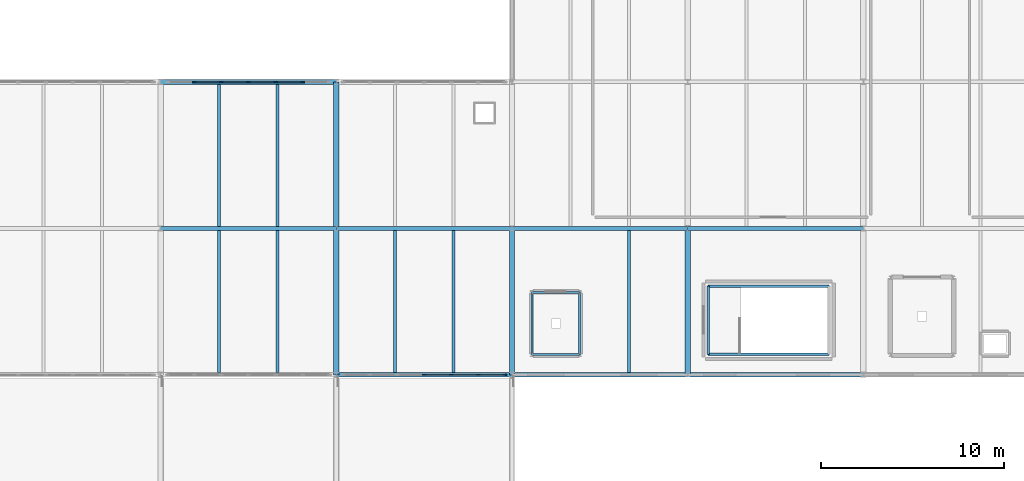
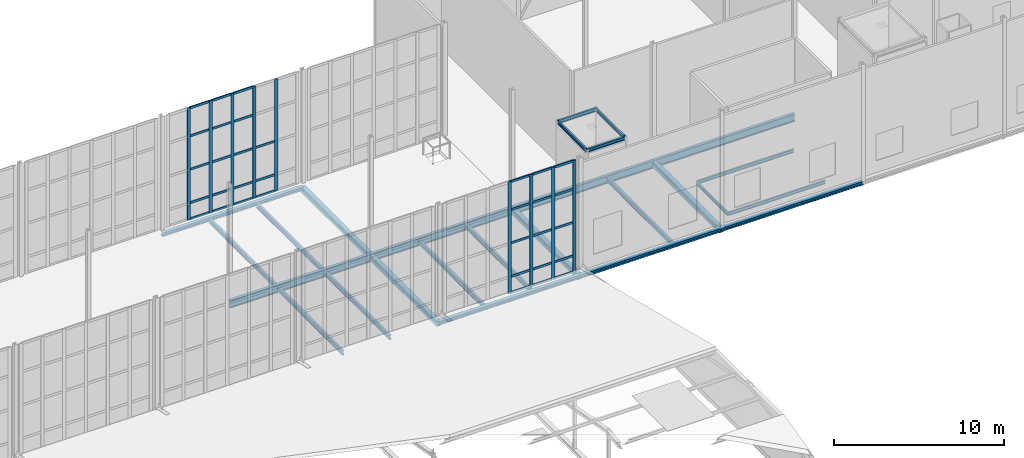
# One storey, part 40 of 73: 42 members, 26 beams, 2 elements without a shape of their own.
"""IFC4 building model written with IfcOpenShell, lengths in metres."""

from ifc_helpers import new_model, si_unit, direction, frame, origin, origin_2d, place, context, subcontext, project, spatial, rectangle, i_section, extrude, material, layer, layer_set, material_profile, profile_set, type_object, element, aggregate, save


model = new_model("IFC4")

# Units and contexts
model_context = context("Model", 3, precision=1e-05, world=origin(), true_north=direction((0.0, 1.0)))
body_context = subcontext(model_context, "Body", "Model", "MODEL_VIEW")
ifc_project = project(units=[si_unit("LENGTHUNIT", "METRE"), si_unit("AREAUNIT", "SQUARE_METRE"), si_unit("VOLUMEUNIT", "CUBIC_METRE"), si_unit("PLANEANGLEUNIT", "RADIAN"), si_unit("MASSUNIT", "GRAM", prefix="KILO")], contexts=[model_context])

# Site, building, storey
site_placement = place(None, origin())
site = spatial("IfcSite", under=ifc_project, at=site_placement, CompositionType="ELEMENT")
building_placement = place(site_placement, origin())
building = spatial("IfcBuilding", under=site, at=building_placement, Name="Alderhovde Museum", CompositionType="ELEMENT")
storey_placement = place(building_placement, frame((0.0, 0.0, 17.39990234375)))
storey = spatial("IfcBuildingStorey", under=building, at=storey_placement, Name="L04", CompositionType="ELEMENT", Elevation=17.39990234375)

# Beams
ifc_material_1 = material(Name="Steel S355J2", Category="steel")
ifc_material_profile_1 = material_profile(ifc_material_1, i_section(OverallWidth=0.300048828125, OverallDepth=0.389892578125, WebThickness=0.010986328125, FlangeThickness=0.01904296875, FilletRadius=0.027099609375, at=origin_2d()), Name="HEA 400")
ifc_profile_set_1 = profile_set([ifc_material_profile_1], Name="Steel S355J2")
beam_type_1 = type_object("IfcBeamType", Name="BM-HEA400", PredefinedType="BEAM", material=ifc_profile_set_1)
for number, where, z_axis, x_axis, name in (
    (1, (105.60009765625, 72.0, -0.474853515625), (0.0, 1.0, 0.0), (-1.0, 0.0, 0.0), "L04 Grid Beam X=105.6 (72.0 TO 80.0)"),
    (2, (105.60009765625, 80.0, -0.474853515625), (0.0, 1.0, 0.0), (-1.0, 0.0, 0.0), "L04 Grid Beam X=105.6 (80.0 TO 88.0)"),
    (3, (115.199951171875, 72.0, -0.474853515625), (0.0, 1.0, 0.0), (-1.0, 0.0, 0.0), "L04 Grid Beam X=115.2 (72.0 TO 80.0)"),
    (4, (124.800048828125, 72.0, -0.474853515625), (0.0, 1.0, 0.0), (-1.0, 0.0, 0.0), "L04 Grid Beam X=124.8 (72.0 TO 80.0)"),
):
    element("IfcBeam", number, at=place(storey_placement, frame(where, z_axis=z_axis, x_axis=x_axis)), inside=storey, type_object=beam_type_1, Name=name, PredefinedType="BEAM", context=body_context, shape_type="SweptSolid", body=[
        extrude(i_section(OverallWidth=0.300048828125, OverallDepth=0.389892578125, WebThickness=0.010986328125, FlangeThickness=0.01904296875, FilletRadius=0.027099609375, at=origin_2d()), origin(), (0.0, 0.0, 1.0), 8.0),
    ])
ifc_material_2 = material(Name="Steel S355J2", Category="steel")
ifc_material_profile_2 = material_profile(ifc_material_2, i_section(OverallWidth=0.1201171875, OverallDepth=0.239990234375, WebThickness=0.006103515625, FlangeThickness=0.009765625, FilletRadius=0.014892578125, at=origin_2d()), Name="IPE 240")
ifc_profile_set_2 = profile_set([ifc_material_profile_2], Name="Steel S355J2")
beam_type_2 = type_object("IfcBeamType", Name="BM-IPE240", PredefinedType="BEAM", material=ifc_profile_set_2)
for number, where, z_axis, x_axis, name in (
    (5, (125.919921875, 73.1201171875, -0.39990234375), (1.0, 0.0, 0.0), (0.0, 1.0, 0.0), "L04 Stair ST4 Floor Trimmer S"),
    (6, (125.919921875, 76.840087890625, -0.39990234375), (1.0, 0.0, 0.0), (0.0, 1.0, 0.0), "L04 Stair ST4 Floor Trimmer N"),
):
    element("IfcBeam", number, at=place(storey_placement, frame(where, z_axis=z_axis, x_axis=x_axis)), inside=storey, type_object=beam_type_2, Name=name, PredefinedType="BEAM", context=body_context, shape_type="SweptSolid", body=[
        extrude(i_section(OverallWidth=0.1201171875, OverallDepth=0.239990234375, WebThickness=0.006103515625, FlangeThickness=0.009765625, FilletRadius=0.014892578125, at=origin_2d()), origin(), (0.0, 0.0, 1.0), 6.60009765625),
    ])
beam_1_placement = place(storey_placement, frame((125.919921875, 73.1201171875, -0.39990234375), z_axis=(0.0, 1.0, 0.0), x_axis=(-1.0, 0.0, 0.0)))
element("IfcBeam", 7, at=beam_1_placement, inside=storey, type_object=beam_type_2, Name="L04 Stair ST4 Floor Trimmer W", PredefinedType="BEAM", context=body_context, shape_type="SweptSolid", body=[
    extrude(i_section(OverallWidth=0.1201171875, OverallDepth=0.239990234375, WebThickness=0.006103515625, FlangeThickness=0.009765625, FilletRadius=0.014892578125, at=origin_2d()), origin(), (0.0, 0.0, 1.0), 3.719970703125),
])
for number, where, z_axis, x_axis, name in (
    (8, (116.300048828125, 73.10009765625, 7.5400390625), (1.0, 0.0, 0.0), (0.0, 1.0, 0.0), "L04 Lift PL-03 Cap Beam S"),
    (9, (116.300048828125, 76.5, 7.5400390625), (1.0, 0.0, 0.0), (0.0, 1.0, 0.0), "L04 Lift PL-03 Cap Beam N"),
):
    element("IfcBeam", number, at=place(storey_placement, frame(where, z_axis=z_axis, x_axis=x_axis)), inside=storey, type_object=beam_type_2, Name=name, PredefinedType="BEAM", context=body_context, shape_type="SweptSolid", body=[
        extrude(i_section(OverallWidth=0.1201171875, OverallDepth=0.239990234375, WebThickness=0.006103515625, FlangeThickness=0.009765625, FilletRadius=0.014892578125, at=origin_2d()), origin(), (0.0, 0.0, 1.0), 2.599853515625),
    ])
for number, where, z_axis, x_axis, name in (
    (10, (116.300048828125, 73.10009765625, 7.5400390625), (0.0, 1.0, 0.0), (-1.0, 0.0, 0.0), "L04 Lift PL-03 Cap Beam W"),
    (11, (118.89990234375, 73.10009765625, 7.5400390625), (0.0, 1.0, 0.0), (-1.0, 0.0, 0.0), "L04 Lift PL-03 Cap Beam E"),
):
    element("IfcBeam", number, at=place(storey_placement, frame(where, z_axis=z_axis, x_axis=x_axis)), inside=storey, type_object=beam_type_2, Name=name, PredefinedType="BEAM", context=body_context, shape_type="SweptSolid", body=[
        extrude(i_section(OverallWidth=0.1201171875, OverallDepth=0.239990234375, WebThickness=0.006103515625, FlangeThickness=0.009765625, FilletRadius=0.014892578125, at=origin_2d()), origin(), (0.0, 0.0, 1.0), 3.39990234375),
    ])
ifc_material_3 = material(Name="Steel S355J2", Category="steel")
ifc_material_profile_3 = material_profile(ifc_material_3, i_section(OverallWidth=0.2099609375, OverallDepth=0.550048828125, WebThickness=0.010986328125, FlangeThickness=0.01708984375, FilletRadius=0.02392578125, at=origin_2d()), Name="IPE 550")
ifc_profile_set_3 = profile_set([ifc_material_profile_3], Name="Steel S355J2")
beam_type_3 = type_object("IfcBeamType", Name="BM-IPE550", PredefinedType="BEAM", material=ifc_profile_set_3)
beam_2_placement = place(storey_placement, frame((96.0, 80.0, -0.554931640625), z_axis=(1.0, 0.0, 0.0), x_axis=(0.0, 1.0, 0.0)))
element("IfcBeam", 12, at=beam_2_placement, inside=storey, type_object=beam_type_3, Name="L04 Grid Beam Y=80.0 (96.0 TO 105.6)", PredefinedType="BEAM", context=body_context, shape_type="SweptSolid", body=[
    extrude(i_section(OverallWidth=0.2099609375, OverallDepth=0.550048828125, WebThickness=0.010986328125, FlangeThickness=0.01708984375, FilletRadius=0.02392578125, at=origin_2d()), origin(), (0.0, 0.0, 1.0), 9.60009765625),
])
beam_3_placement = place(storey_placement, frame((105.60009765625, 80.0, -0.554931640625), z_axis=(1.0, 0.0, 0.0), x_axis=(0.0, 1.0, 0.0)))
element("IfcBeam", 13, at=beam_3_placement, inside=storey, type_object=beam_type_3, Name="L04 Grid Beam Y=80.0 (105.6 TO 115.2)", PredefinedType="BEAM", context=body_context, shape_type="SweptSolid", body=[
    extrude(i_section(OverallWidth=0.2099609375, OverallDepth=0.550048828125, WebThickness=0.010986328125, FlangeThickness=0.01708984375, FilletRadius=0.02392578125, at=origin_2d()), origin(), (0.0, 0.0, 1.0), 9.599853515625),
])
beam_4_placement = place(storey_placement, frame((115.199951171875, 80.0, -0.554931640625), z_axis=(1.0, 0.0, 0.0), x_axis=(0.0, 1.0, 0.0)))
element("IfcBeam", 14, at=beam_4_placement, inside=storey, type_object=beam_type_3, Name="L04 Grid Beam Y=80.0 (115.2 TO 124.8)", PredefinedType="BEAM", context=body_context, shape_type="SweptSolid", body=[
    extrude(i_section(OverallWidth=0.2099609375, OverallDepth=0.550048828125, WebThickness=0.010986328125, FlangeThickness=0.01708984375, FilletRadius=0.02392578125, at=origin_2d()), origin(), (0.0, 0.0, 1.0), 9.60009765625),
])
beam_5_placement = place(storey_placement, frame((124.800048828125, 80.0, -0.554931640625), z_axis=(1.0, 0.0, 0.0), x_axis=(0.0, 1.0, 0.0)))
element("IfcBeam", 15, at=beam_5_placement, inside=storey, type_object=beam_type_3, Name="L04 Grid Beam Y=80.0 (124.8 TO 134.4)", PredefinedType="BEAM", context=body_context, shape_type="SweptSolid", body=[
    extrude(i_section(OverallWidth=0.2099609375, OverallDepth=0.550048828125, WebThickness=0.010986328125, FlangeThickness=0.01708984375, FilletRadius=0.02392578125, at=origin_2d()), origin(), (0.0, 0.0, 1.0), 9.599853515625),
])

# Curtain wall, members
ifc_material_4 = material(Name="Triple-Glazed Bronze-Anodised Curtain Wall", Category="glass")
ifc_layer = layer(ifc_material_4, 0.219970703125)
ifc_layer_set = layer_set([ifc_layer], Name="Triple-Glazed Bronze-Anodised Curtain Wall")
curtain_wall_type = type_object("IfcCurtainWallType", Name="CW-UNIT-890x805", PredefinedType="USERDEFINED", material=ifc_layer_set)
curtain_wall_1_placement = place(storey_placement, origin())
curtain_wall_1 = element("IfcCurtainWall", 16, at=curtain_wall_1_placement, inside=storey, type_object=curtain_wall_type, Name="L04 Unitised Curtain Wall 85", ObjectType="UNITISED CURTAIN WALL", PredefinedType="USERDEFINED")
ifc_material_5 = material(Name="Bronze-Anodised Aluminium EN AW-6063-T6", Category="aluminium")
ifc_material_profile_4 = material_profile(ifc_material_5, rectangle(XDim=0.074951171875, YDim=0.219970703125, at=origin_2d()), Name="MULLION 75x220")
ifc_profile_set_4 = profile_set([ifc_material_profile_4], Name="Bronze-Anodised Aluminium EN AW-6063-T6")
member_type_1 = type_object("IfcMemberType", Name="CWM-75x220", PredefinedType="MULLION", material=ifc_profile_set_4)
member_1_placement = place(storey_placement, frame((97.833251953125, 88.0, 0.0), z_axis=(0.0, 0.0, 1.0), x_axis=(0.0, 1.0, 0.0)))
member_1 = element("IfcMember", 17, at=member_1_placement, type_object=member_type_1, Name="CW21 mullion 2", PredefinedType="MULLION", context=body_context, shape_type="SweptSolid", body=[
    extrude(rectangle(XDim=0.074951171875, YDim=0.219970703125, at=origin_2d()), origin(), (0.0, 0.0, 1.0), 8.050048828125),
])
member_2_placement = place(storey_placement, frame((99.316650390625, 88.0, 0.0), z_axis=(0.0, 0.0, 1.0), x_axis=(0.0, 1.0, 0.0)))
member_2 = element("IfcMember", 18, at=member_2_placement, type_object=member_type_1, Name="CW21 mullion 3", PredefinedType="MULLION", context=body_context, shape_type="SweptSolid", body=[
    extrude(rectangle(XDim=0.074951171875, YDim=0.219970703125, at=origin_2d()), origin(), (0.0, 0.0, 1.0), 8.050048828125),
])
member_3_placement = place(storey_placement, frame((100.800048828125, 88.0, 0.0), z_axis=(0.0, 0.0, 1.0), x_axis=(0.0, 1.0, 0.0)))
member_3 = element("IfcMember", 19, at=member_3_placement, type_object=member_type_1, Name="CW21 mullion 4", PredefinedType="MULLION", context=body_context, shape_type="SweptSolid", body=[
    extrude(rectangle(XDim=0.074951171875, YDim=0.219970703125, at=origin_2d()), origin(), (0.0, 0.0, 1.0), 8.050048828125),
])
member_4_placement = place(storey_placement, frame((102.283447265625, 88.0, 0.0), z_axis=(0.0, 0.0, 1.0), x_axis=(0.0, 1.0, 0.0)))
member_4 = element("IfcMember", 20, at=member_4_placement, type_object=member_type_1, Name="CW21 mullion 5", PredefinedType="MULLION", context=body_context, shape_type="SweptSolid", body=[
    extrude(rectangle(XDim=0.074951171875, YDim=0.219970703125, at=origin_2d()), origin(), (0.0, 0.0, 1.0), 8.050048828125),
])
member_5_placement = place(storey_placement, frame((103.7666015625, 88.0, 0.0), z_axis=(0.0, 0.0, 1.0), x_axis=(0.0, 1.0, 0.0)))
member_5 = element("IfcMember", 21, at=member_5_placement, type_object=member_type_1, Name="CW21 mullion 6", PredefinedType="MULLION", context=body_context, shape_type="SweptSolid", body=[
    extrude(rectangle(XDim=0.074951171875, YDim=0.219970703125, at=origin_2d()), origin(), (0.0, 0.0, 1.0), 8.050048828125),
])

curtain_wall_2_placement = place(storey_placement, origin())
curtain_wall_2 = element("IfcCurtainWall", 22, at=curtain_wall_2_placement, inside=storey, type_object=curtain_wall_type, Name="L04 Unitised Curtain Wall 88", ObjectType="UNITISED CURTAIN WALL", PredefinedType="USERDEFINED")
member_6_placement = place(storey_placement, frame((110.39990234375, 72.0, 0.0), z_axis=(0.0, 0.0, 1.0), x_axis=(0.0, 1.0, 0.0)))
member_6 = element("IfcMember", 23, at=member_6_placement, type_object=member_type_1, Name="CW21 mullion 4", PredefinedType="MULLION", context=body_context, shape_type="SweptSolid", body=[
    extrude(rectangle(XDim=0.074951171875, YDim=0.219970703125, at=origin_2d()), origin(), (0.0, 0.0, 1.0), 8.050048828125),
])
member_7_placement = place(storey_placement, frame((111.88330078125, 72.0, 0.0), z_axis=(0.0, 0.0, 1.0), x_axis=(0.0, 1.0, 0.0)))
member_7 = element("IfcMember", 24, at=member_7_placement, type_object=member_type_1, Name="CW21 mullion 5", PredefinedType="MULLION", context=body_context, shape_type="SweptSolid", body=[
    extrude(rectangle(XDim=0.074951171875, YDim=0.219970703125, at=origin_2d()), origin(), (0.0, 0.0, 1.0), 8.050048828125),
])
member_8_placement = place(storey_placement, frame((113.36669921875, 72.0, 0.0), z_axis=(0.0, 0.0, 1.0), x_axis=(0.0, 1.0, 0.0)))
member_8 = element("IfcMember", 25, at=member_8_placement, type_object=member_type_1, Name="CW21 mullion 6", PredefinedType="MULLION", context=body_context, shape_type="SweptSolid", body=[
    extrude(rectangle(XDim=0.074951171875, YDim=0.219970703125, at=origin_2d()), origin(), (0.0, 0.0, 1.0), 8.050048828125),
])
member_9_placement = place(storey_placement, frame((114.8125, 72.0, 0.0), z_axis=(0.0, 0.0, 1.0), x_axis=(0.0, 1.0, 0.0)))
member_9 = element("IfcMember", 26, at=member_9_placement, type_object=member_type_1, Name="CW21 mullion 7", PredefinedType="MULLION", context=body_context, shape_type="SweptSolid", body=[
    extrude(rectangle(XDim=0.074951171875, YDim=0.219970703125, at=origin_2d()), origin(), (0.0, 0.0, 1.0), 8.050048828125),
])

# Member
ifc_material_6 = material(Name="Bronze-Anodised Aluminium EN AW-6063-T6", Category="aluminium")
ifc_material_profile_5 = material_profile(ifc_material_6, rectangle(XDim=0.074951171875, YDim=0.159912109375, at=origin_2d()), Name="TRANSOM 75x160")
ifc_profile_set_5 = profile_set([ifc_material_profile_5], Name="Bronze-Anodised Aluminium EN AW-6063-T6")
member_type_2 = type_object("IfcMemberType", Name="CWT-75x160", PredefinedType="USERDEFINED", material=ifc_profile_set_5)
member_10_placement = place(storey_placement, frame((97.870849609375, 88.0, 0.03759765625), z_axis=(1.0, 0.0, 0.0), x_axis=(0.0, 1.0, 0.0)))
member_10 = element("IfcMember", 27, at=member_10_placement, type_object=member_type_2, Name="CW21 transom 2.1", ObjectType="TRANSOM", PredefinedType="USERDEFINED", context=body_context, shape_type="SweptSolid", body=[
    extrude(rectangle(XDim=0.074951171875, YDim=0.159912109375, at=origin_2d()), origin(), (0.0, 0.0, 1.0), 1.408203125),
])

member_11_placement = place(storey_placement, frame((97.870849609375, 88.0, 1.2001953125), z_axis=(1.0, 0.0, 0.0), x_axis=(0.0, 1.0, 0.0)))
member_11 = element("IfcMember", 28, at=member_11_placement, type_object=member_type_2, Name="CW21 transom 2.2", ObjectType="TRANSOM", PredefinedType="USERDEFINED", context=body_context, shape_type="SweptSolid", body=[
    extrude(rectangle(XDim=0.074951171875, YDim=0.159912109375, at=origin_2d()), origin(), (0.0, 0.0, 1.0), 1.408203125),
])

member_12_placement = place(storey_placement, frame((97.870849609375, 88.0, 3.60009765625), z_axis=(1.0, 0.0, 0.0), x_axis=(0.0, 1.0, 0.0)))
member_12 = element("IfcMember", 29, at=member_12_placement, type_object=member_type_2, Name="CW21 transom 2.3", ObjectType="TRANSOM", PredefinedType="USERDEFINED", context=body_context, shape_type="SweptSolid", body=[
    extrude(rectangle(XDim=0.074951171875, YDim=0.159912109375, at=origin_2d()), origin(), (0.0, 0.0, 1.0), 1.408203125),
])

member_13_placement = place(storey_placement, frame((97.870849609375, 88.0, 6.0), z_axis=(1.0, 0.0, 0.0), x_axis=(0.0, 1.0, 0.0)))
member_13 = element("IfcMember", 30, at=member_13_placement, type_object=member_type_2, Name="CW21 transom 2.4", ObjectType="TRANSOM", PredefinedType="USERDEFINED", context=body_context, shape_type="SweptSolid", body=[
    extrude(rectangle(XDim=0.074951171875, YDim=0.159912109375, at=origin_2d()), origin(), (0.0, 0.0, 1.0), 1.408203125),
])

member_14_placement = place(storey_placement, frame((97.870849609375, 88.0, 8.0126953125), z_axis=(1.0, 0.0, 0.0), x_axis=(0.0, 1.0, 0.0)))
member_14 = element("IfcMember", 31, at=member_14_placement, type_object=member_type_2, Name="CW21 transom 2.5", ObjectType="TRANSOM", PredefinedType="USERDEFINED", context=body_context, shape_type="SweptSolid", body=[
    extrude(rectangle(XDim=0.074951171875, YDim=0.159912109375, at=origin_2d()), origin(), (0.0, 0.0, 1.0), 1.408203125),
])

member_15_placement = place(storey_placement, frame((99.354248046875, 88.0, 0.03759765625), z_axis=(1.0, 0.0, 0.0), x_axis=(0.0, 1.0, 0.0)))
member_15 = element("IfcMember", 32, at=member_15_placement, type_object=member_type_2, Name="CW21 transom 3.1", ObjectType="TRANSOM", PredefinedType="USERDEFINED", context=body_context, shape_type="SweptSolid", body=[
    extrude(rectangle(XDim=0.074951171875, YDim=0.159912109375, at=origin_2d()), origin(), (0.0, 0.0, 1.0), 1.408203125),
])

member_16_placement = place(storey_placement, frame((99.354248046875, 88.0, 1.2001953125), z_axis=(1.0, 0.0, 0.0), x_axis=(0.0, 1.0, 0.0)))
member_16 = element("IfcMember", 33, at=member_16_placement, type_object=member_type_2, Name="CW21 transom 3.2", ObjectType="TRANSOM", PredefinedType="USERDEFINED", context=body_context, shape_type="SweptSolid", body=[
    extrude(rectangle(XDim=0.074951171875, YDim=0.159912109375, at=origin_2d()), origin(), (0.0, 0.0, 1.0), 1.408203125),
])

member_17_placement = place(storey_placement, frame((99.354248046875, 88.0, 3.60009765625), z_axis=(1.0, 0.0, 0.0), x_axis=(0.0, 1.0, 0.0)))
member_17 = element("IfcMember", 34, at=member_17_placement, type_object=member_type_2, Name="CW21 transom 3.3", ObjectType="TRANSOM", PredefinedType="USERDEFINED", context=body_context, shape_type="SweptSolid", body=[
    extrude(rectangle(XDim=0.074951171875, YDim=0.159912109375, at=origin_2d()), origin(), (0.0, 0.0, 1.0), 1.408203125),
])

member_18_placement = place(storey_placement, frame((99.354248046875, 88.0, 6.0), z_axis=(1.0, 0.0, 0.0), x_axis=(0.0, 1.0, 0.0)))
member_18 = element("IfcMember", 35, at=member_18_placement, type_object=member_type_2, Name="CW21 transom 3.4", ObjectType="TRANSOM", PredefinedType="USERDEFINED", context=body_context, shape_type="SweptSolid", body=[
    extrude(rectangle(XDim=0.074951171875, YDim=0.159912109375, at=origin_2d()), origin(), (0.0, 0.0, 1.0), 1.408203125),
])

member_19_placement = place(storey_placement, frame((99.354248046875, 88.0, 8.0126953125), z_axis=(1.0, 0.0, 0.0), x_axis=(0.0, 1.0, 0.0)))
member_19 = element("IfcMember", 36, at=member_19_placement, type_object=member_type_2, Name="CW21 transom 3.5", ObjectType="TRANSOM", PredefinedType="USERDEFINED", context=body_context, shape_type="SweptSolid", body=[
    extrude(rectangle(XDim=0.074951171875, YDim=0.159912109375, at=origin_2d()), origin(), (0.0, 0.0, 1.0), 1.408203125),
])

member_20_placement = place(storey_placement, frame((100.83740234375, 88.0, 0.03759765625), z_axis=(1.0, 0.0, 0.0), x_axis=(0.0, 1.0, 0.0)))
member_20 = element("IfcMember", 37, at=member_20_placement, type_object=member_type_2, Name="CW21 transom 4.1", ObjectType="TRANSOM", PredefinedType="USERDEFINED", context=body_context, shape_type="SweptSolid", body=[
    extrude(rectangle(XDim=0.074951171875, YDim=0.159912109375, at=origin_2d()), origin(), (0.0, 0.0, 1.0), 1.408447265625),
])

member_21_placement = place(storey_placement, frame((100.83740234375, 88.0, 1.2001953125), z_axis=(1.0, 0.0, 0.0), x_axis=(0.0, 1.0, 0.0)))
member_21 = element("IfcMember", 38, at=member_21_placement, type_object=member_type_2, Name="CW21 transom 4.2", ObjectType="TRANSOM", PredefinedType="USERDEFINED", context=body_context, shape_type="SweptSolid", body=[
    extrude(rectangle(XDim=0.074951171875, YDim=0.159912109375, at=origin_2d()), origin(), (0.0, 0.0, 1.0), 1.408447265625),
])

member_22_placement = place(storey_placement, frame((100.83740234375, 88.0, 3.60009765625), z_axis=(1.0, 0.0, 0.0), x_axis=(0.0, 1.0, 0.0)))
member_22 = element("IfcMember", 39, at=member_22_placement, type_object=member_type_2, Name="CW21 transom 4.3", ObjectType="TRANSOM", PredefinedType="USERDEFINED", context=body_context, shape_type="SweptSolid", body=[
    extrude(rectangle(XDim=0.074951171875, YDim=0.159912109375, at=origin_2d()), origin(), (0.0, 0.0, 1.0), 1.408447265625),
])

member_23_placement = place(storey_placement, frame((100.83740234375, 88.0, 6.0), z_axis=(1.0, 0.0, 0.0), x_axis=(0.0, 1.0, 0.0)))
member_23 = element("IfcMember", 40, at=member_23_placement, type_object=member_type_2, Name="CW21 transom 4.4", ObjectType="TRANSOM", PredefinedType="USERDEFINED", context=body_context, shape_type="SweptSolid", body=[
    extrude(rectangle(XDim=0.074951171875, YDim=0.159912109375, at=origin_2d()), origin(), (0.0, 0.0, 1.0), 1.408447265625),
])

member_24_placement = place(storey_placement, frame((100.83740234375, 88.0, 8.0126953125), z_axis=(1.0, 0.0, 0.0), x_axis=(0.0, 1.0, 0.0)))
member_24 = element("IfcMember", 41, at=member_24_placement, type_object=member_type_2, Name="CW21 transom 4.5", ObjectType="TRANSOM", PredefinedType="USERDEFINED", context=body_context, shape_type="SweptSolid", body=[
    extrude(rectangle(XDim=0.074951171875, YDim=0.159912109375, at=origin_2d()), origin(), (0.0, 0.0, 1.0), 1.408447265625),
])

member_25_placement = place(storey_placement, frame((102.32080078125, 88.0, 0.03759765625), z_axis=(1.0, 0.0, 0.0), x_axis=(0.0, 1.0, 0.0)))
member_25 = element("IfcMember", 42, at=member_25_placement, type_object=member_type_2, Name="CW21 transom 5.1", ObjectType="TRANSOM", PredefinedType="USERDEFINED", context=body_context, shape_type="SweptSolid", body=[
    extrude(rectangle(XDim=0.074951171875, YDim=0.159912109375, at=origin_2d()), origin(), (0.0, 0.0, 1.0), 1.408447265625),
])

member_26_placement = place(storey_placement, frame((102.32080078125, 88.0, 1.2001953125), z_axis=(1.0, 0.0, 0.0), x_axis=(0.0, 1.0, 0.0)))
member_26 = element("IfcMember", 43, at=member_26_placement, type_object=member_type_2, Name="CW21 transom 5.2", ObjectType="TRANSOM", PredefinedType="USERDEFINED", context=body_context, shape_type="SweptSolid", body=[
    extrude(rectangle(XDim=0.074951171875, YDim=0.159912109375, at=origin_2d()), origin(), (0.0, 0.0, 1.0), 1.408447265625),
])

member_27_placement = place(storey_placement, frame((102.32080078125, 88.0, 3.60009765625), z_axis=(1.0, 0.0, 0.0), x_axis=(0.0, 1.0, 0.0)))
member_27 = element("IfcMember", 44, at=member_27_placement, type_object=member_type_2, Name="CW21 transom 5.3", ObjectType="TRANSOM", PredefinedType="USERDEFINED", context=body_context, shape_type="SweptSolid", body=[
    extrude(rectangle(XDim=0.074951171875, YDim=0.159912109375, at=origin_2d()), origin(), (0.0, 0.0, 1.0), 1.408447265625),
])

aggregate(curtain_wall_1, [member_1, member_2, member_3, member_4, member_5, member_10, member_11, member_12, member_13, member_14, member_15, member_16, member_17, member_18, member_19, member_20, member_21, member_22, member_23, member_24, member_25, member_26, member_27])

member_28_placement = place(storey_placement, frame((110.4375, 72.0, 0.03759765625), z_axis=(1.0, 0.0, 0.0), x_axis=(0.0, 1.0, 0.0)))
member_28 = element("IfcMember", 45, at=member_28_placement, type_object=member_type_2, Name="CW21 transom 4.1", ObjectType="TRANSOM", PredefinedType="USERDEFINED", context=body_context, shape_type="SweptSolid", body=[
    extrude(rectangle(XDim=0.074951171875, YDim=0.159912109375, at=origin_2d()), origin(), (0.0, 0.0, 1.0), 1.408447265625),
])

member_29_placement = place(storey_placement, frame((110.4375, 72.0, 1.2001953125), z_axis=(1.0, 0.0, 0.0), x_axis=(0.0, 1.0, 0.0)))
member_29 = element("IfcMember", 46, at=member_29_placement, type_object=member_type_2, Name="CW21 transom 4.2", ObjectType="TRANSOM", PredefinedType="USERDEFINED", context=body_context, shape_type="SweptSolid", body=[
    extrude(rectangle(XDim=0.074951171875, YDim=0.159912109375, at=origin_2d()), origin(), (0.0, 0.0, 1.0), 1.408447265625),
])

member_30_placement = place(storey_placement, frame((110.4375, 72.0, 3.60009765625), z_axis=(1.0, 0.0, 0.0), x_axis=(0.0, 1.0, 0.0)))
member_30 = element("IfcMember", 47, at=member_30_placement, type_object=member_type_2, Name="CW21 transom 4.3", ObjectType="TRANSOM", PredefinedType="USERDEFINED", context=body_context, shape_type="SweptSolid", body=[
    extrude(rectangle(XDim=0.074951171875, YDim=0.159912109375, at=origin_2d()), origin(), (0.0, 0.0, 1.0), 1.408447265625),
])

member_31_placement = place(storey_placement, frame((110.4375, 72.0, 6.0), z_axis=(1.0, 0.0, 0.0), x_axis=(0.0, 1.0, 0.0)))
member_31 = element("IfcMember", 48, at=member_31_placement, type_object=member_type_2, Name="CW21 transom 4.4", ObjectType="TRANSOM", PredefinedType="USERDEFINED", context=body_context, shape_type="SweptSolid", body=[
    extrude(rectangle(XDim=0.074951171875, YDim=0.159912109375, at=origin_2d()), origin(), (0.0, 0.0, 1.0), 1.408447265625),
])

member_32_placement = place(storey_placement, frame((110.4375, 72.0, 8.0126953125), z_axis=(1.0, 0.0, 0.0), x_axis=(0.0, 1.0, 0.0)))
member_32 = element("IfcMember", 49, at=member_32_placement, type_object=member_type_2, Name="CW21 transom 4.5", ObjectType="TRANSOM", PredefinedType="USERDEFINED", context=body_context, shape_type="SweptSolid", body=[
    extrude(rectangle(XDim=0.074951171875, YDim=0.159912109375, at=origin_2d()), origin(), (0.0, 0.0, 1.0), 1.408447265625),
])

member_33_placement = place(storey_placement, frame((111.9208984375, 72.0, 0.03759765625), z_axis=(1.0, 0.0, 0.0), x_axis=(0.0, 1.0, 0.0)))
member_33 = element("IfcMember", 50, at=member_33_placement, type_object=member_type_2, Name="CW21 transom 5.1", ObjectType="TRANSOM", PredefinedType="USERDEFINED", context=body_context, shape_type="SweptSolid", body=[
    extrude(rectangle(XDim=0.074951171875, YDim=0.159912109375, at=origin_2d()), origin(), (0.0, 0.0, 1.0), 1.408203125),
])

member_34_placement = place(storey_placement, frame((111.9208984375, 72.0, 1.2001953125), z_axis=(1.0, 0.0, 0.0), x_axis=(0.0, 1.0, 0.0)))
member_34 = element("IfcMember", 51, at=member_34_placement, type_object=member_type_2, Name="CW21 transom 5.2", ObjectType="TRANSOM", PredefinedType="USERDEFINED", context=body_context, shape_type="SweptSolid", body=[
    extrude(rectangle(XDim=0.074951171875, YDim=0.159912109375, at=origin_2d()), origin(), (0.0, 0.0, 1.0), 1.408203125),
])

member_35_placement = place(storey_placement, frame((111.9208984375, 72.0, 3.60009765625), z_axis=(1.0, 0.0, 0.0), x_axis=(0.0, 1.0, 0.0)))
member_35 = element("IfcMember", 52, at=member_35_placement, type_object=member_type_2, Name="CW21 transom 5.3", ObjectType="TRANSOM", PredefinedType="USERDEFINED", context=body_context, shape_type="SweptSolid", body=[
    extrude(rectangle(XDim=0.074951171875, YDim=0.159912109375, at=origin_2d()), origin(), (0.0, 0.0, 1.0), 1.408203125),
])

member_36_placement = place(storey_placement, frame((111.9208984375, 72.0, 6.0), z_axis=(1.0, 0.0, 0.0), x_axis=(0.0, 1.0, 0.0)))
member_36 = element("IfcMember", 53, at=member_36_placement, type_object=member_type_2, Name="CW21 transom 5.4", ObjectType="TRANSOM", PredefinedType="USERDEFINED", context=body_context, shape_type="SweptSolid", body=[
    extrude(rectangle(XDim=0.074951171875, YDim=0.159912109375, at=origin_2d()), origin(), (0.0, 0.0, 1.0), 1.408203125),
])

member_37_placement = place(storey_placement, frame((111.9208984375, 72.0, 8.0126953125), z_axis=(1.0, 0.0, 0.0), x_axis=(0.0, 1.0, 0.0)))
member_37 = element("IfcMember", 54, at=member_37_placement, type_object=member_type_2, Name="CW21 transom 5.5", ObjectType="TRANSOM", PredefinedType="USERDEFINED", context=body_context, shape_type="SweptSolid", body=[
    extrude(rectangle(XDim=0.074951171875, YDim=0.159912109375, at=origin_2d()), origin(), (0.0, 0.0, 1.0), 1.408203125),
])

member_38_placement = place(storey_placement, frame((113.404052734375, 72.0, 0.03759765625), z_axis=(1.0, 0.0, 0.0), x_axis=(0.0, 1.0, 0.0)))
member_38 = element("IfcMember", 55, at=member_38_placement, type_object=member_type_2, Name="CW21 transom 6.1", ObjectType="TRANSOM", PredefinedType="USERDEFINED", context=body_context, shape_type="SweptSolid", body=[
    extrude(rectangle(XDim=0.074951171875, YDim=0.159912109375, at=origin_2d()), origin(), (0.0, 0.0, 1.0), 1.370849609375),
])

member_39_placement = place(storey_placement, frame((113.404052734375, 72.0, 1.2001953125), z_axis=(1.0, 0.0, 0.0), x_axis=(0.0, 1.0, 0.0)))
member_39 = element("IfcMember", 56, at=member_39_placement, type_object=member_type_2, Name="CW21 transom 6.2", ObjectType="TRANSOM", PredefinedType="USERDEFINED", context=body_context, shape_type="SweptSolid", body=[
    extrude(rectangle(XDim=0.074951171875, YDim=0.159912109375, at=origin_2d()), origin(), (0.0, 0.0, 1.0), 1.370849609375),
])

member_40_placement = place(storey_placement, frame((113.404052734375, 72.0, 3.60009765625), z_axis=(1.0, 0.0, 0.0), x_axis=(0.0, 1.0, 0.0)))
member_40 = element("IfcMember", 57, at=member_40_placement, type_object=member_type_2, Name="CW21 transom 6.3", ObjectType="TRANSOM", PredefinedType="USERDEFINED", context=body_context, shape_type="SweptSolid", body=[
    extrude(rectangle(XDim=0.074951171875, YDim=0.159912109375, at=origin_2d()), origin(), (0.0, 0.0, 1.0), 1.370849609375),
])

member_41_placement = place(storey_placement, frame((113.404052734375, 72.0, 6.0), z_axis=(1.0, 0.0, 0.0), x_axis=(0.0, 1.0, 0.0)))
member_41 = element("IfcMember", 58, at=member_41_placement, type_object=member_type_2, Name="CW21 transom 6.4", ObjectType="TRANSOM", PredefinedType="USERDEFINED", context=body_context, shape_type="SweptSolid", body=[
    extrude(rectangle(XDim=0.074951171875, YDim=0.159912109375, at=origin_2d()), origin(), (0.0, 0.0, 1.0), 1.370849609375),
])

member_42_placement = place(storey_placement, frame((113.404052734375, 72.0, 8.0126953125), z_axis=(1.0, 0.0, 0.0), x_axis=(0.0, 1.0, 0.0)))
member_42 = element("IfcMember", 59, at=member_42_placement, type_object=member_type_2, Name="CW21 transom 6.5", ObjectType="TRANSOM", PredefinedType="USERDEFINED", context=body_context, shape_type="SweptSolid", body=[
    extrude(rectangle(XDim=0.074951171875, YDim=0.159912109375, at=origin_2d()), origin(), (0.0, 0.0, 1.0), 1.370849609375),
])

aggregate(curtain_wall_2, [member_6, member_7, member_8, member_9, member_28, member_29, member_30, member_31, member_32, member_33, member_34, member_35, member_36, member_37, member_38, member_39, member_40, member_41, member_42])

# Beams
ifc_material_7 = material(Name="Steel S355J2", Category="steel")
ifc_material_profile_6 = material_profile(ifc_material_7, i_section(OverallWidth=0.159912109375, OverallDepth=0.330078125, WebThickness=0.007568359375, FlangeThickness=0.011474609375, FilletRadius=0.01806640625, at=origin_2d()), Name="IPE 330")
ifc_profile_set_6 = profile_set([ifc_material_profile_6], Name="Steel S355J2")
beam_type_4 = type_object("IfcBeamType", Name="JST-IPE330", PredefinedType="JOIST", material=ifc_profile_set_6)
for number, where, z_axis, x_axis, name in (
    (60, (99.199951171875, 72.1298828125, -0.44482421875), (0.0, 1.0, 0.0), (-1.0, 0.0, 0.0), "L04 Composite Joist X=99.2 (72.0 TO 80.0)"),
    (61, (102.39990234375, 72.1298828125, -0.44482421875), (0.0, 1.0, 0.0), (-1.0, 0.0, 0.0), "L04 Composite Joist X=102.4 (72.0 TO 80.0)"),
    (62, (99.199951171875, 80.10498046875, -0.44482421875), (0.0, 1.0, 0.0), (-1.0, 0.0, 0.0), "L04 Composite Joist X=99.2 (80.0 TO 88.0)"),
    (63, (102.39990234375, 80.10498046875, -0.44482421875), (0.0, 1.0, 0.0), (-1.0, 0.0, 0.0), "L04 Composite Joist X=102.4 (80.0 TO 88.0)"),
    (64, (108.800048828125, 72.1298828125, -0.44482421875), (0.0, 1.0, 0.0), (-1.0, 0.0, 0.0), "L04 Composite Joist X=108.8 (72.0 TO 80.0)"),
    (65, (112.0, 72.1298828125, -0.44482421875), (0.0, 1.0, 0.0), (-1.0, 0.0, 0.0), "L04 Composite Joist X=112.0 (72.0 TO 80.0)"),
    (66, (121.60009765625, 72.1298828125, -0.44482421875), (0.0, 1.0, 0.0), (-1.0, 0.0, 0.0), "L04 Composite Joist X=121.6 (72.0 TO 80.0)"),
):
    element("IfcBeam", number, at=place(storey_placement, frame(where, z_axis=z_axis, x_axis=x_axis)), inside=storey, type_object=beam_type_4, Name=name, PredefinedType="JOIST", context=body_context, shape_type="SweptSolid", body=[
        extrude(i_section(OverallWidth=0.159912109375, OverallDepth=0.330078125, WebThickness=0.007568359375, FlangeThickness=0.011474609375, FilletRadius=0.01806640625, at=origin_2d()), origin(), (0.0, 0.0, 1.0), 7.76513671875),
    ])
ifc_material_8 = material(Name="Steel S355J2", Category="steel")
ifc_material_profile_7 = material_profile(ifc_material_8, i_section(OverallWidth=0.260009765625, OverallDepth=0.25, WebThickness=0.007568359375, FlangeThickness=0.012451171875, FilletRadius=0.02392578125, at=origin_2d()), Name="HEA 260")
ifc_profile_set_7 = profile_set([ifc_material_profile_7], Name="Steel S355J2")
beam_type_5 = type_object("IfcBeamType", Name="SPD-HEA260", PredefinedType="SPANDREL", material=ifc_profile_set_7)
beam_6_placement = place(storey_placement, frame((105.60009765625, 72.0, -0.40478515625), z_axis=(1.0, 0.0, 0.0), x_axis=(0.0, 1.0, 0.0)))
element("IfcBeam", 67, at=beam_6_placement, inside=storey, type_object=beam_type_5, Name="L04 Grid Beam Y=72.0 (105.6 TO 115.2)", PredefinedType="SPANDREL", context=body_context, shape_type="SweptSolid", body=[
    extrude(i_section(OverallWidth=0.260009765625, OverallDepth=0.25, WebThickness=0.007568359375, FlangeThickness=0.012451171875, FilletRadius=0.02392578125, at=origin_2d()), origin(), (0.0, 0.0, 1.0), 9.599853515625),
])
beam_7_placement = place(storey_placement, frame((115.199951171875, 72.0, -0.40478515625), z_axis=(1.0, 0.0, 0.0), x_axis=(0.0, 1.0, 0.0)))
element("IfcBeam", 68, at=beam_7_placement, inside=storey, type_object=beam_type_5, Name="L04 Grid Beam Y=72.0 (115.2 TO 124.8)", PredefinedType="SPANDREL", context=body_context, shape_type="SweptSolid", body=[
    extrude(i_section(OverallWidth=0.260009765625, OverallDepth=0.25, WebThickness=0.007568359375, FlangeThickness=0.012451171875, FilletRadius=0.02392578125, at=origin_2d()), origin(), (0.0, 0.0, 1.0), 9.60009765625),
])
beam_8_placement = place(storey_placement, frame((124.800048828125, 72.0, -0.40478515625), z_axis=(1.0, 0.0, 0.0), x_axis=(0.0, 1.0, 0.0)))
element("IfcBeam", 69, at=beam_8_placement, inside=storey, type_object=beam_type_5, Name="L04 Grid Beam Y=72.0 (124.8 TO 134.4)", PredefinedType="SPANDREL", context=body_context, shape_type="SweptSolid", body=[
    extrude(i_section(OverallWidth=0.260009765625, OverallDepth=0.25, WebThickness=0.007568359375, FlangeThickness=0.012451171875, FilletRadius=0.02392578125, at=origin_2d()), origin(), (0.0, 0.0, 1.0), 9.599853515625),
])
beam_9_placement = place(storey_placement, frame((96.0, 88.0, -0.40478515625), z_axis=(1.0, 0.0, 0.0), x_axis=(0.0, 1.0, 0.0)))
element("IfcBeam", 70, at=beam_9_placement, inside=storey, type_object=beam_type_5, Name="L04 Grid Beam Y=88.0 (96.0 TO 105.6)", PredefinedType="SPANDREL", context=body_context, shape_type="SweptSolid", body=[
    extrude(i_section(OverallWidth=0.260009765625, OverallDepth=0.25, WebThickness=0.007568359375, FlangeThickness=0.012451171875, FilletRadius=0.02392578125, at=origin_2d()), origin(), (0.0, 0.0, 1.0), 9.60009765625),
])

save(model, "model.ifc")
